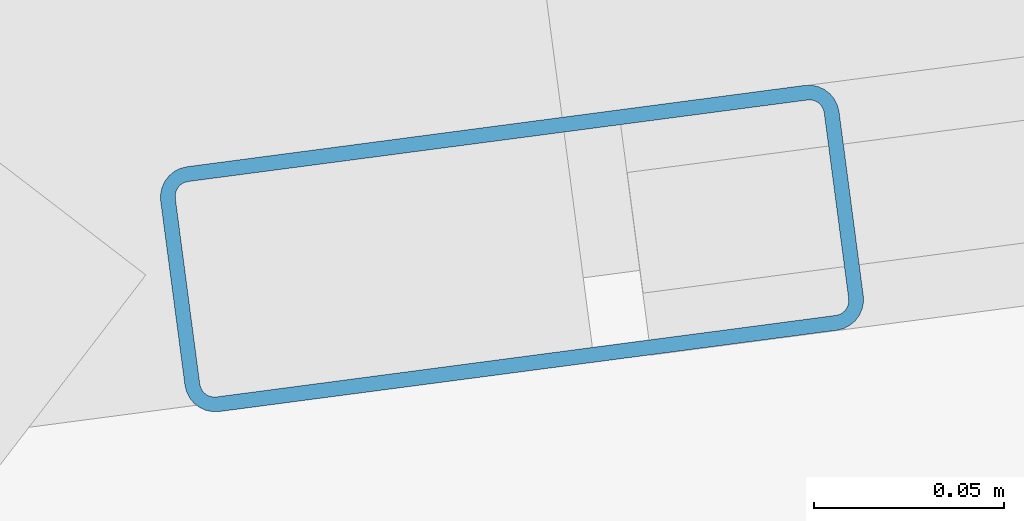
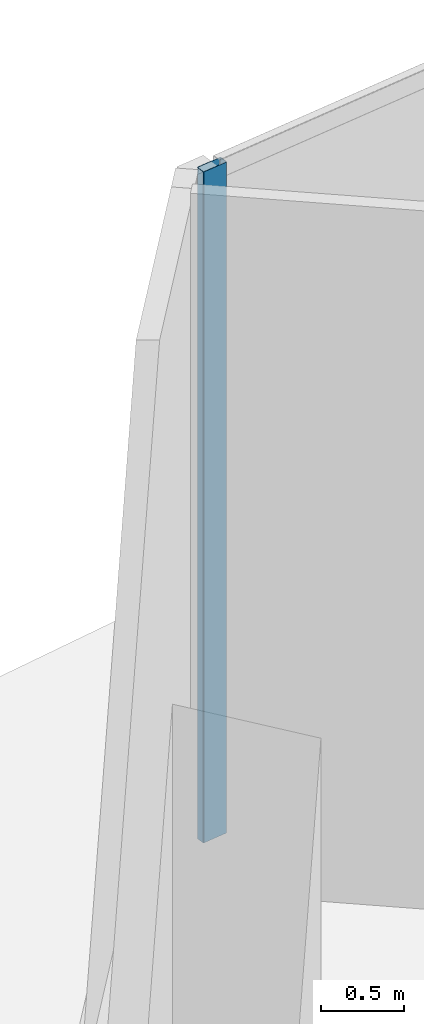
# One storey, part 12 of 23: 1 member, 1 element without a shape of its own.
"""IFC4 building model written with IfcOpenShell, lengths in metres."""

from ifc_helpers import new_model, si_unit, direction, frame, origin, origin_2d, place, context, subcontext, project, spatial, hollow_rectangle, extrude, source, transform, mapped, material, material_profile, profile_set, type_object, element, aggregate, save


model = new_model("IFC4")

# Units and contexts
model_context = context("Model", 3, precision=1e-05, world=origin(), true_north=direction((0.0, 1.0)))
body_context = subcontext(model_context, "Body", "Model", "MODEL_VIEW")
ifc_project = project(units=[si_unit("LENGTHUNIT", "METRE"), si_unit("AREAUNIT", "SQUARE_METRE"), si_unit("VOLUMEUNIT", "CUBIC_METRE"), si_unit("PLANEANGLEUNIT", "RADIAN"), si_unit("MASSUNIT", "GRAM", prefix="KILO")], contexts=[model_context])

# Site, building, storey
site_placement = place(None, origin())
site = spatial("IfcSite", under=ifc_project, at=site_placement, CompositionType="ELEMENT")
building_placement = place(site_placement, origin())
building = spatial("IfcBuilding", under=site, at=building_placement, Name="Torre Montelarca", CompositionType="ELEMENT")
storey_placement = place(building_placement, frame((0.0, 0.0, 204.39990234375)))
storey = spatial("IfcBuildingStorey", under=building, at=storey_placement, Name="L46", CompositionType="ELEMENT", Elevation=204.39990234375)

# Curtain wall, member
ifc_material_1 = material(Name="Insulated low-E laminated glass", Category="glass")
curtain_wall_type = type_object("IfcCurtainWallType", Name="CW-SYS-Z2", PredefinedType="USERDEFINED", material=ifc_material_1)
curtain_wall_placement = place(storey_placement, origin())
curtain_wall = element("IfcCurtainWall", 1, at=curtain_wall_placement, inside=storey, type_object=curtain_wall_type, Name="L46 Curtain Wall Run CW-T3-L46-E09-B1", ObjectType="UNITISED GLAZING", PredefinedType="USERDEFINED")
ifc_material_2 = material(Name="Anodised aluminium AA 6063-T6", Category="aluminium")
ifc_material_profile = material_profile(ifc_material_2, hollow_rectangle(XDim=0.06494140625, YDim=0.179931640625, WallThickness=0.00390625, InnerFilletRadius=0.00390625, OuterFilletRadius=0.008056640625, at=origin_2d()), Name="ALU65X180X4", Category="aluminium")
ifc_profile_set = profile_set([ifc_material_profile], Name="Anodised aluminium AA 6063-T6")
member_type = type_object("IfcMemberType", Name="CWM-ALU180", PredefinedType="MULLION", material=ifc_profile_set)
shared_shape = source(origin(), body_context, "Body", "SweptSolid", [
    extrude(hollow_rectangle(XDim=0.06494140625, YDim=0.179931640625, WallThickness=0.00390625, InnerFilletRadius=0.00390625, OuterFilletRadius=0.008056640625, at=origin_2d()), origin(), (0.0, 0.0, 1.0), 4.920166015625),
])
member_placement = place(storey_placement, frame((14.793701171875, 51.954345703125, 0.0), z_axis=(0.0, 0.0, 1.0), x_axis=(0.130514118862, -0.991446450787, 0.0)))
member = element("IfcMember", 2, at=member_placement, type_object=member_type, Name="CW mullion 3", PredefinedType="MULLION", context=body_context, shape_type="MappedRepresentation", body=[
    mapped(shared_shape, transform((0.0, 0.0, 0.0), scale=1.0)),
])
aggregate(curtain_wall, [member])

save(model, "model.ifc")
